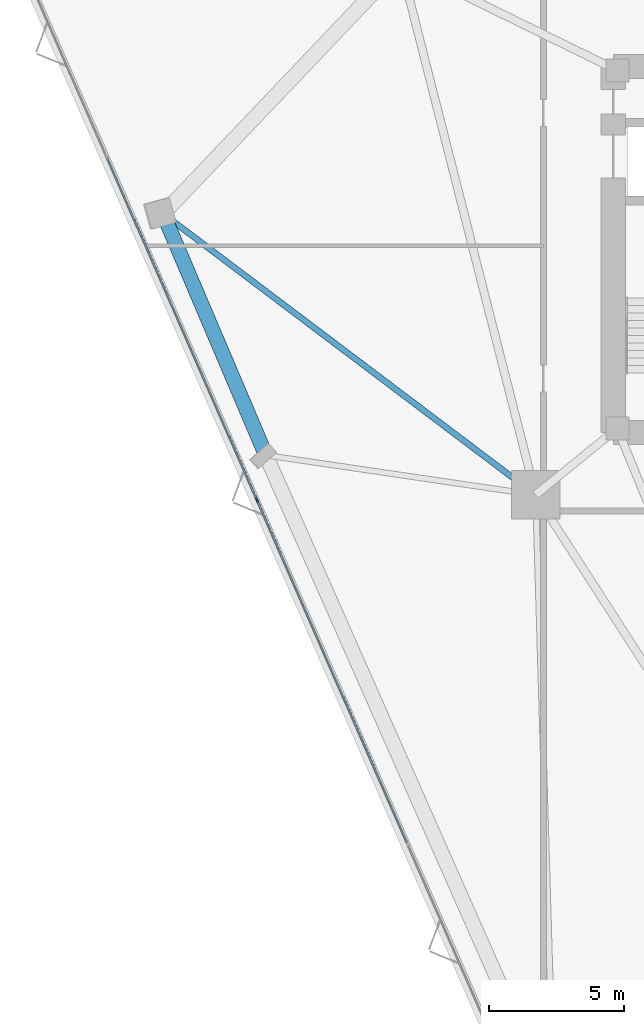
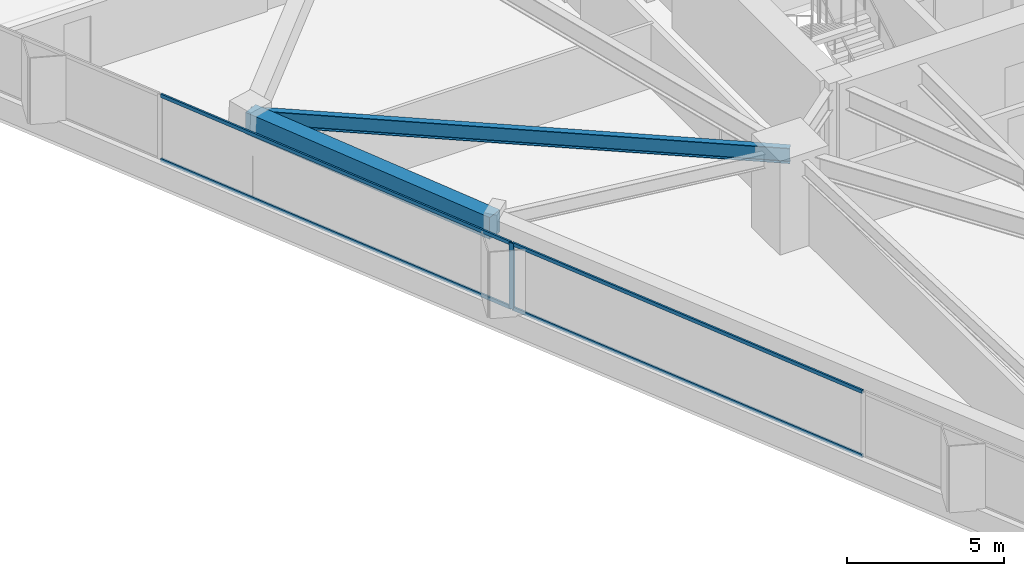
# One storey, part 6 of 21: 5 members, 2 beams, 1 element without a shape of its own.
"""IFC4 building model written with IfcOpenShell, lengths in metres."""

from ifc_helpers import new_model, si_unit, direction, frame, origin, origin_2d, place, context, subcontext, project, spatial, rectangle, i_section, extrude, material, layer, layer_set, material_profile, profile_set, type_object, element, aggregate, save


model = new_model("IFC4")

# Units and contexts
model_context = context("Model", 3, precision=1e-05, world=origin(), true_north=direction((0.0, 1.0)))
body_context = subcontext(model_context, "Body", "Model", "MODEL_VIEW")
ifc_project = project(units=[si_unit("LENGTHUNIT", "METRE"), si_unit("AREAUNIT", "SQUARE_METRE"), si_unit("VOLUMEUNIT", "CUBIC_METRE"), si_unit("PLANEANGLEUNIT", "RADIAN"), si_unit("MASSUNIT", "GRAM", prefix="KILO")], contexts=[model_context])

# Site, building, storey
site_placement = place(None, origin())
site = spatial("IfcSite", under=ifc_project, at=site_placement, CompositionType="ELEMENT")
building_placement = place(site_placement, origin())
building = spatial("IfcBuilding", under=site, at=building_placement, Name="Talyreon Biosciences Tower", CompositionType="ELEMENT")
storey_placement = place(building_placement, frame((0.0, 0.0, 55.64990234375)))
storey = spatial("IfcBuildingStorey", under=building, at=storey_placement, Name="L14", CompositionType="ELEMENT", Elevation=55.64990234375)

# Curtain wall, members
ifc_material_1 = material(Name="Thermally broken aluminium and low-E glazing", Category="aluminium")
ifc_layer = layer(ifc_material_1, 0.195068359375)
ifc_layer_set = layer_set([ifc_layer], Name="Thermally broken aluminium and low-E glazing")
curtain_wall_type = type_object("IfcCurtainWallType", Name="CurtainWall_Zone1WetLab", PredefinedType="NOTDEFINED", material=ifc_layer_set)
curtain_wall_placement = place(storey_placement, origin())
curtain_wall = element("IfcCurtainWall", 1, at=curtain_wall_placement, inside=storey, type_object=curtain_wall_type, Name="L14 Unitised Curtain Wall FCW-L14-00", PredefinedType="NOTDEFINED")
ifc_material_2 = material(Name="Anodised thermally broken aluminium", Category="aluminium")
ifc_material_profile_1 = material_profile(ifc_material_2, rectangle(XDim=0.06494140625, YDim=0.179931640625, at=origin_2d()), Name="ALUM MULLION 65x180")
ifc_profile_set_1 = profile_set([ifc_material_profile_1], Name="Anodised thermally broken aluminium")
member_type_1 = type_object("IfcMemberType", Name="CWMullion_65x180", PredefinedType="MULLION", material=ifc_profile_set_1)
member_1_placement = place(storey_placement, frame((44.560302734375, 58.689453125, 0.81005859375), z_axis=(0.0, 0.0, 1.0), x_axis=(-0.916092182361, -0.400967721165, 0.0)))
member_1 = element("IfcMember", 2, at=member_1_placement, type_object=member_type_1, Name="CW2 mullion 4", PredefinedType="MULLION", context=body_context, shape_type="SweptSolid", body=[
    extrude(rectangle(XDim=0.06494140625, YDim=0.179931640625, at=origin_2d()), origin(), (0.0, 0.0, 1.0), 2.56494140625),
])
ifc_material_profile_2 = material_profile(ifc_material_2, rectangle(XDim=0.06494140625, YDim=0.139892578125, at=origin_2d()), Name="ALUM TRANSOM 65x140")
ifc_profile_set_2 = profile_set([ifc_material_profile_2], Name="Anodised thermally broken aluminium")
member_type_2 = type_object("IfcMemberType", Name="CWTransom_65x140", PredefinedType="USERDEFINED", material=ifc_profile_set_2)
member_2_placement = place(storey_placement, frame((50.13037109375, 45.963623046875, 0.842529296875), z_axis=(-0.400962068949, 0.916094656279, 0.0), x_axis=(-0.916094656279, -0.400962068949, 0.0)))
member_2 = element("IfcMember", 3, at=member_2_placement, type_object=member_type_2, Name="CW2 transom 3.1", ObjectType="TRANSOM", PredefinedType="USERDEFINED", context=body_context, shape_type="SweptSolid", body=[
    extrude(rectangle(XDim=0.06494140625, YDim=0.139892578125, at=origin_2d()), origin(), (0.0, 0.0, 1.0), 13.85888671875),
])
member_3_placement = place(storey_placement, frame((50.13037109375, 45.963623046875, 3.342529296875), z_axis=(-0.400962068949, 0.916094656279, 0.0), x_axis=(-0.916094656279, -0.400962068949, 0.0)))
member_3 = element("IfcMember", 4, at=member_3_placement, type_object=member_type_2, Name="CW2 transom 3.2", ObjectType="TRANSOM", PredefinedType="USERDEFINED", context=body_context, shape_type="SweptSolid", body=[
    extrude(rectangle(XDim=0.06494140625, YDim=0.139892578125, at=origin_2d()), origin(), (0.0, 0.0, 1.0), 13.85888671875),
])
member_4_placement = place(storey_placement, frame((44.54736328125, 58.71923828125, 0.842529296875), z_axis=(-0.400970381999, 0.916091017727, 0.0), x_axis=(-0.916091017727, -0.400970381999, 0.0)))
member_4 = element("IfcMember", 5, at=member_4_placement, type_object=member_type_2, Name="CW2 transom 4.1", ObjectType="TRANSOM", PredefinedType="USERDEFINED", context=body_context, shape_type="SweptSolid", body=[
    extrude(rectangle(XDim=0.06494140625, YDim=0.139892578125, at=origin_2d()), origin(), (0.0, 0.0, 1.0), 13.859130859375),
])
member_5_placement = place(storey_placement, frame((44.54736328125, 58.71923828125, 3.342529296875), z_axis=(-0.400970381999, 0.916091017727, 0.0), x_axis=(-0.916091017727, -0.400970381999, 0.0)))
member_5 = element("IfcMember", 6, at=member_5_placement, type_object=member_type_2, Name="CW2 transom 4.2", ObjectType="TRANSOM", PredefinedType="USERDEFINED", context=body_context, shape_type="SweptSolid", body=[
    extrude(rectangle(XDim=0.06494140625, YDim=0.139892578125, at=origin_2d()), origin(), (0.0, 0.0, 1.0), 13.859130859375),
])
aggregate(curtain_wall, [member_1, member_2, member_3, member_4, member_5])

# Beams
ifc_material_3 = material(Name="Precast concrete C45/55", Category="concrete")
ifc_material_profile_3 = material_profile(ifc_material_3, rectangle(XDim=0.550048828125, YDim=0.85009765625, at=origin_2d()), Name="RCB 550x850")
ifc_profile_set_3 = profile_set([ifc_material_profile_3], Name="Precast concrete C45/55")
beam_type_1 = type_object("IfcBeamType", Name="ExpressedSpandrel_550x850", PredefinedType="SPANDREL", material=ifc_profile_set_3)
beam_1_placement = place(storey_placement, frame((41.07421875, 69.3232421875, 2.9501953125), z_axis=(0.391529896455, -0.920165387407, 0.0), x_axis=(0.920165387407, 0.391529896455, 0.0)))
element("IfcBeam", 7, at=beam_1_placement, inside=storey, type_object=beam_type_1, Name="L14 Expressed Horizontal Concrete Spandrel 10", PredefinedType="SPANDREL", context=body_context, shape_type="SweptSolid", body=[
    extrude(rectangle(XDim=0.550048828125, YDim=0.85009765625, at=origin_2d()), origin(), (0.0, 0.0, 1.0), 9.747314453125),
])
ifc_material_4 = material(Name="Steel SM355", Category="steel")
ifc_material_profile_4 = material_profile(ifc_material_4, i_section(OverallWidth=0.219970703125, OverallDepth=0.60009765625, WebThickness=0.011962890625, FlangeThickness=0.01904296875, FilletRadius=0.02392578125, at=origin_2d()), Name="IPE600")
ifc_profile_set_4 = profile_set([ifc_material_profile_4], Name="Steel SM355")
beam_type_2 = type_object("IfcBeamType", Name="SteelJoist_IPE600", PredefinedType="JOIST", material=ifc_profile_set_4)
beam_2_placement = place(storey_placement, frame((54.913818359375, 58.88037109375, 3.0751953125), z_axis=(-0.798247657842, 0.602329375633, 0.0), x_axis=(-0.602329375633, -0.798247657842, 0.0)))
element("IfcBeam", 8, at=beam_2_placement, inside=storey, type_object=beam_type_2, Name="L14 Radial Composite Floor Joist PC-SW1", PredefinedType="JOIST", context=body_context, shape_type="SweptSolid", body=[
    extrude(i_section(OverallWidth=0.219970703125, OverallDepth=0.60009765625, WebThickness=0.011962890625, FlangeThickness=0.01904296875, FilletRadius=0.02392578125, at=origin_2d()), origin(), (0.0, 0.0, 1.0), 17.33740234375),
])

save(model, "model.ifc")
